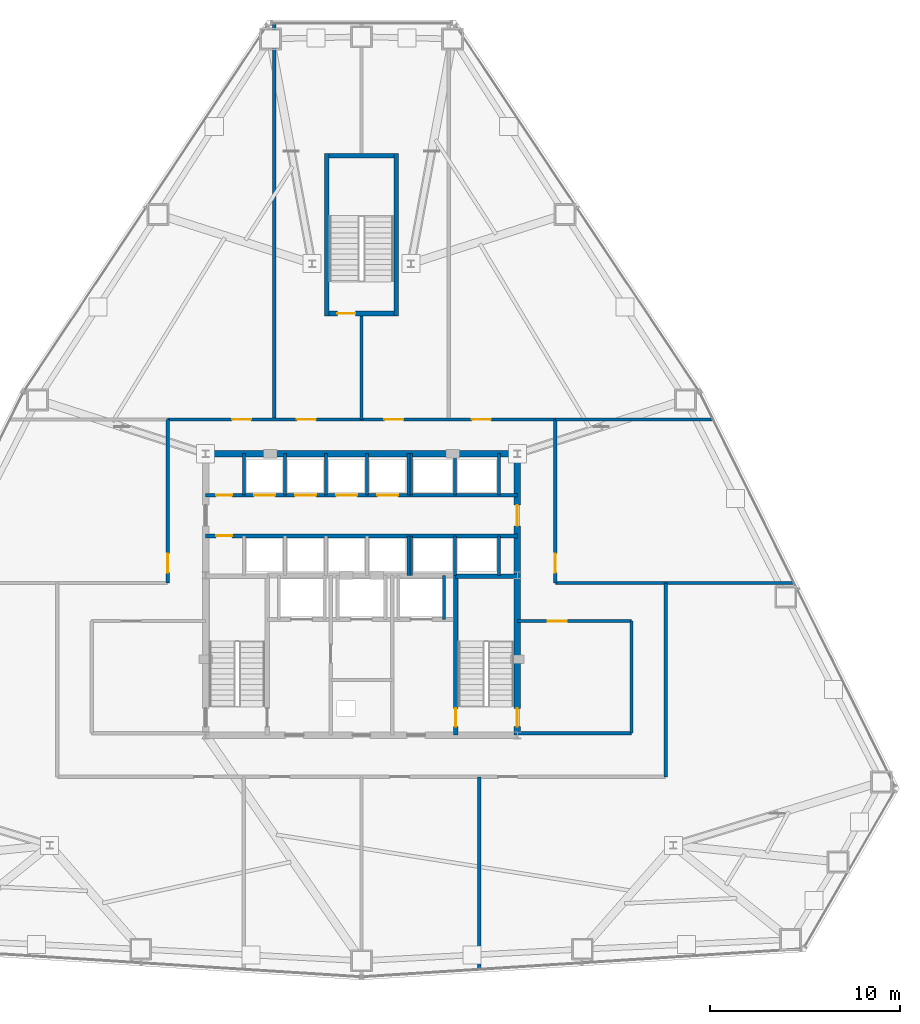
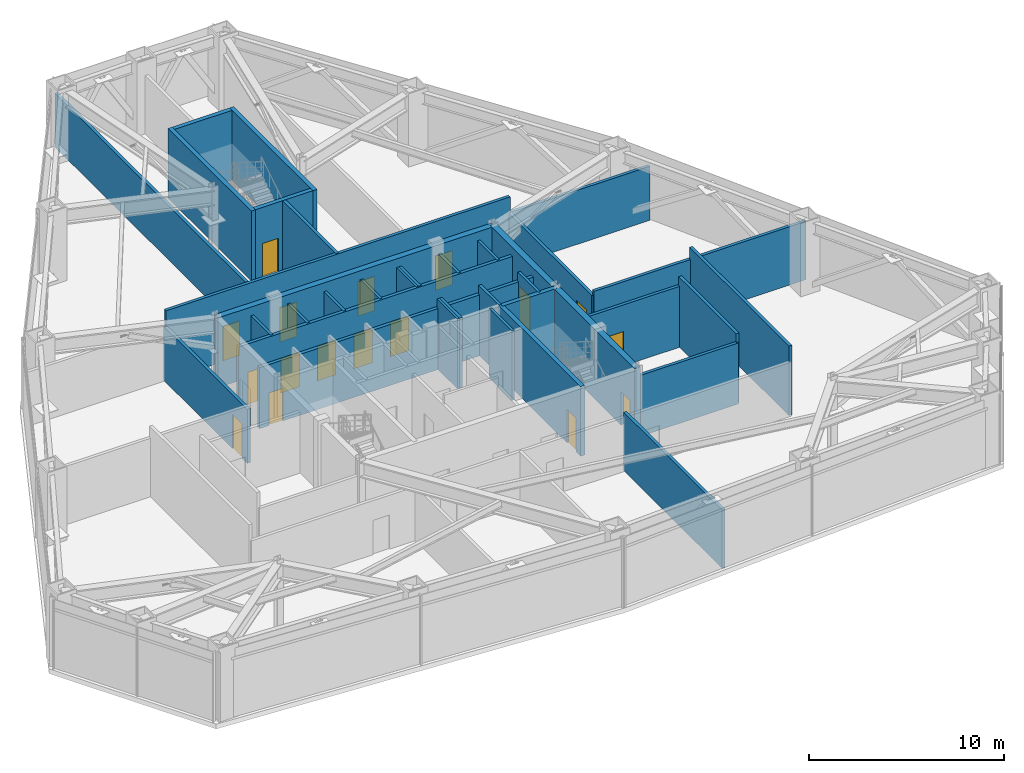
# One storey, part 10 of 12: 35 walls, 17 doors, 17 openings.
"""IFC4 building model written with IfcOpenShell, lengths in metres."""

from ifc_helpers import new_model, si_unit, direction, frame, frame_2d, origin, place, context, subcontext, project, spatial, rectangle, extrude, material, layer, layer_set, type_object, element, fill, save


model = new_model("IFC4")

# Units and contexts
model_context = context("Model", 3, precision=1e-05, world=origin(), true_north=direction((0.0, 1.0)))
body_context = subcontext(model_context, "Body", "Model", "MODEL_VIEW")
ifc_project = project(units=[si_unit("LENGTHUNIT", "METRE"), si_unit("AREAUNIT", "SQUARE_METRE"), si_unit("VOLUMEUNIT", "CUBIC_METRE"), si_unit("PLANEANGLEUNIT", "RADIAN"), si_unit("MASSUNIT", "GRAM", prefix="KILO")], contexts=[model_context])

# Site, building, storey
site_placement = place(None, origin())
site = spatial("IfcSite", under=ifc_project, at=site_placement, CompositionType="ELEMENT")
building_placement = place(site_placement, origin())
building = spatial("IfcBuilding", under=site, at=building_placement, Name="Varakhsha Concourse Tower", CompositionType="ELEMENT")
storey_placement = place(building_placement, frame((0.0, 0.0, 68.800048828125)))
storey = spatial("IfcBuildingStorey", under=building, at=storey_placement, Name="L19", CompositionType="ELEMENT", Elevation=68.800048828125)

# Wall
ifc_material_1 = material(Name="Concrete fc 65 MPa", Category="concrete")
ifc_layer_1 = layer(ifc_material_1, 0.35009765625, Name="WL-CORE-350")
ifc_layer_set_1 = layer_set([ifc_layer_1], Name="Concrete fc 65 MPa")
wall_type_1 = type_object("IfcWallType", Name="WL-CORE-350", PredefinedType="SHEAR", material=ifc_layer_set_1)
wall_1_placement = place(storey_placement, frame((31.800048828125, 31.199951171875, 0.0), z_axis=(0.0, 0.0, 1.0), x_axis=(1.0, 0.0, 0.0)))
element("IfcWall", 1, at=wall_1_placement, inside=storey, type_object=wall_type_1, Name="L19 Wall CWALL-N-L19", PredefinedType="SHEAR", context=body_context, shape_type="SweptSolid", body=[
    extrude(rectangle(XDim=16.39990234375, YDim=0.35009765625, at=frame_2d((8.199951171875, 0.0))), origin(), (0.0, 0.0, 1.0), 4.369873046875),
])

# Wall, openings, doors
wall_2_placement = place(storey_placement, frame((48.199951171875, 16.39990234375, 0.0), z_axis=(0.0, 0.0, 1.0), x_axis=(0.0, 1.0, 0.0)))
wall_2 = element("IfcWall", 2, at=wall_2_placement, inside=storey, type_object=wall_type_1, Name="L19 Wall CWALL-E-L19", PredefinedType="SHEAR", context=body_context, shape_type="SweptSolid", body=[
    extrude(rectangle(XDim=14.800048828125, YDim=0.35009765625, at=frame_2d((7.39990234375, 0.0))), origin(), (0.0, 0.0, 1.0), 4.369873046875),
])
opening_1_placement = place(wall_2_placement, frame((11.0, 0.0, 0.0)))
opening_1 = element("IfcOpeningElement", 3, at=opening_1_placement, cuts=wall_2, Name="Opening DL-01", PredefinedType="OPENING", context=body_context, shape_type="SweptSolid", body=[
    extrude(rectangle(XDim=1.10009765625, YDim=2.14990234375, at=frame_2d((0.550048828125, 1.074951171875))), frame((0.0, 0.18505859375, 0.0), z_axis=(0.0, -1.0, 0.0), x_axis=(1.0, 0.0, 0.0)), (0.0, 0.0, 1.0), 0.3701171875),
])
opening_2_placement = place(wall_2_placement, frame((0.449951171875, 0.0, 0.0)))
opening_2 = element("IfcOpeningElement", 4, at=opening_2_placement, cuts=wall_2, Name="Opening DF-03", PredefinedType="OPENING", context=body_context, shape_type="SweptSolid", body=[
    extrude(rectangle(XDim=0.949951171875, YDim=2.10009765625, at=frame_2d((0.47509765625, 1.050048828125))), frame((0.0, 0.18505859375, 0.0), z_axis=(0.0, -1.0, 0.0), x_axis=(1.0, 0.0, 0.0)), (0.0, 0.0, 1.0), 0.3701171875),
])
ifc_material_2 = material(Name="Hollow Galvanised Steel Fire Door Assembly", Category="steel")
door_type_1 = type_object("IfcDoorType", Name="DR-FD90-950", OperationType="NOTDEFINED", PredefinedType="DOOR", material=ifc_material_2)
door_1_placement = place(opening_2_placement, origin())
door_1 = element("IfcDoor", 5, at=door_1_placement, inside=storey, type_object=door_type_1, Name="L19 Area of Refuge East Stair ST2 Door", OperationType="SINGLE_SWING_RIGHT", OverallHeight=2.10009765625, OverallWidth=0.949951171875, PredefinedType="DOOR", context=body_context, shape_type="SweptSolid", body=[
    extrude(rectangle(XDim=0.949951171875, YDim=2.10009765625, at=frame_2d((0.47509765625, 1.050048828125))), frame((0.0, 0.02490234375, 0.0), z_axis=(0.0, -1.0, 0.0), x_axis=(1.0, 0.0, 0.0)), (0.0, 0.0, 1.0), 0.050048828125),
])
fill(opening_2, door_1)
ifc_material_3 = material(Name="Anodised Bronze Architectural Aluminium AA 6063-T6", Category="aluminium")
door_type_2 = type_object("IfcDoorType", Name="DR-LOB-1100", OperationType="NOTDEFINED", PredefinedType="DOOR", material=ifc_material_3)
door_2_placement = place(opening_1_placement, origin())
door_2 = element("IfcDoor", 6, at=door_2_placement, inside=storey, type_object=door_type_2, Name="L19 Lift Lobby East Concourse Door", OperationType="SINGLE_SWING_RIGHT", OverallHeight=2.14990234375, OverallWidth=1.10009765625, PredefinedType="DOOR", context=body_context, shape_type="SweptSolid", body=[
    extrude(rectangle(XDim=1.10009765625, YDim=2.14990234375, at=frame_2d((0.550048828125, 1.074951171875))), frame((0.0, 0.02490234375, 0.0), z_axis=(0.0, -1.0, 0.0), x_axis=(1.0, 0.0, 0.0)), (0.0, 0.0, 1.0), 0.050048828125),
])
fill(opening_1, door_2)

# Wall, opening, door
ifc_material_4 = material(Name="Fire-Rated Type X Gypsum Partition Assembly", Category="gypsum")
ifc_layer_2 = layer(ifc_material_4, 0.179931640625, Name="WL-PART-180")
ifc_layer_set_2 = layer_set([ifc_layer_2], Name="Fire-Rated Type X Gypsum Partition Assembly")
wall_type_2 = type_object("IfcWallType", Name="WL-PART-180", PredefinedType="PARTITIONING", material=ifc_layer_set_2)
wall_3_placement = place(storey_placement, frame((29.800048828125, 24.39990234375, 0.0), z_axis=(0.0, 0.0, 1.0), x_axis=(0.0, 1.0, 0.0)))
wall_3 = element("IfcWall", 7, at=wall_3_placement, inside=storey, type_object=wall_type_2, Name="L19 Wall PCW-WW-L19", PredefinedType="PARTITIONING", context=body_context, shape_type="SweptSolid", body=[
    extrude(rectangle(XDim=8.60009765625, YDim=0.179931640625, at=frame_2d((4.300048828125, 0.0))), origin(), (0.0, 0.0, 1.0), 3.385009765625),
])
opening_3_placement = place(wall_3_placement, frame((0.550048828125, 0.0, 0.0)))
opening_3 = element("IfcOpeningElement", 8, at=opening_3_placement, cuts=wall_3, Name="Opening DF-04", PredefinedType="OPENING", context=body_context, shape_type="SweptSolid", body=[
    extrude(rectangle(XDim=1.0, YDim=2.14990234375, at=frame_2d((0.5, 1.074951171875))), frame((0.0, 0.099853515625, 0.0), z_axis=(0.0, -1.0, 0.0), x_axis=(1.0, 0.0, 0.0)), (0.0, 0.0, 1.0), 0.199951171875),
])
door_type_3 = type_object("IfcDoorType", Name="DR-FD60-1000", OperationType="NOTDEFINED", PredefinedType="DOOR", material=ifc_material_2)
door_3_placement = place(opening_3_placement, origin())
door_3 = element("IfcDoor", 9, at=door_3_placement, inside=storey, type_object=door_type_3, Name="L19 West AHU and Smoke Exhaust Plant Room Door", OperationType="SINGLE_SWING_LEFT", OverallHeight=2.14990234375, OverallWidth=1.0, PredefinedType="DOOR", context=body_context, shape_type="SweptSolid", body=[
    extrude(rectangle(XDim=1.0, YDim=2.14990234375, at=frame_2d((0.5, 1.074951171875))), frame((0.0, 0.02490234375, 0.0), z_axis=(0.0, -1.0, 0.0), x_axis=(1.0, 0.0, 0.0)), (0.0, 0.0, 1.0), 0.050048828125),
])
fill(opening_3, door_3)

# Wall, openings, doors
wall_4_placement = place(storey_placement, frame((29.800048828125, 33.0, 0.0), z_axis=(0.0, 0.0, 1.0), x_axis=(1.0, 0.0, 0.0)))
wall_4 = element("IfcWall", 10, at=wall_4_placement, inside=storey, type_object=wall_type_2, Name="L19 Wall PCW-N-L19", PredefinedType="PARTITIONING", context=body_context, shape_type="SweptSolid", body=[
    extrude(rectangle(XDim=20.39990234375, YDim=0.179931640625, at=frame_2d((10.199951171875, 0.0))), origin(), (0.0, 0.0, 1.0), 4.369873046875),
])
opening_4_placement = place(wall_4_placement, frame((3.39990234375, 0.0, 0.0)))
opening_4 = element("IfcOpeningElement", 11, at=opening_4_placement, cuts=wall_4, Name="Opening DF-04", PredefinedType="OPENING", context=body_context, shape_type="SweptSolid", body=[
    extrude(rectangle(XDim=1.0, YDim=2.14990234375, at=frame_2d((0.5, 1.074951171875))), frame((0.0, 0.099853515625, 0.0), z_axis=(0.0, -1.0, 0.0), x_axis=(1.0, 0.0, 0.0)), (0.0, 0.0, 1.0), 0.199951171875),
])
opening_5_placement = place(wall_4_placement, frame((6.800048828125, 0.0, 0.0)))
opening_5 = element("IfcOpeningElement", 12, at=opening_5_placement, cuts=wall_4, Name="Opening DF-04", PredefinedType="OPENING", context=body_context, shape_type="SweptSolid", body=[
    extrude(rectangle(XDim=1.0, YDim=2.14990234375, at=frame_2d((0.5, 1.074951171875))), frame((0.0, 0.099853515625, 0.0), z_axis=(0.0, -1.0, 0.0), x_axis=(1.0, 0.0, 0.0)), (0.0, 0.0, 1.0), 0.199951171875),
])
opening_6_placement = place(wall_4_placement, frame((11.39990234375, 0.0, 0.0)))
opening_6 = element("IfcOpeningElement", 13, at=opening_6_placement, cuts=wall_4, Name="Opening DF-04", PredefinedType="OPENING", context=body_context, shape_type="SweptSolid", body=[
    extrude(rectangle(XDim=1.0, YDim=2.14990234375, at=frame_2d((0.5, 1.074951171875))), frame((0.0, 0.099853515625, 0.0), z_axis=(0.0, -1.0, 0.0), x_axis=(1.0, 0.0, 0.0)), (0.0, 0.0, 1.0), 0.199951171875),
])
opening_7_placement = place(wall_4_placement, frame((16.0, 0.0, 0.0)))
opening_7 = element("IfcOpeningElement", 14, at=opening_7_placement, cuts=wall_4, Name="Opening DF-04", PredefinedType="OPENING", context=body_context, shape_type="SweptSolid", body=[
    extrude(rectangle(XDim=1.0, YDim=2.14990234375, at=frame_2d((0.5, 1.074951171875))), frame((0.0, 0.099853515625, 0.0), z_axis=(0.0, -1.0, 0.0), x_axis=(1.0, 0.0, 0.0)), (0.0, 0.0, 1.0), 0.199951171875),
])
door_4_placement = place(opening_4_placement, origin())
door_4 = element("IfcDoor", 15, at=door_4_placement, inside=storey, type_object=door_type_3, Name="L19 West Zonal HV Switchgear Plant Room Door", OperationType="SINGLE_SWING_LEFT", OverallHeight=2.14990234375, OverallWidth=1.0, PredefinedType="DOOR", context=body_context, shape_type="SweptSolid", body=[
    extrude(rectangle(XDim=1.0, YDim=2.14990234375, at=frame_2d((0.5, 1.074951171875))), frame((0.0, 0.02490234375, 0.0), z_axis=(0.0, -1.0, 0.0), x_axis=(1.0, 0.0, 0.0)), (0.0, 0.0, 1.0), 0.050048828125),
])
fill(opening_4, door_4)
door_5_placement = place(opening_5_placement, origin())
door_5 = element("IfcDoor", 16, at=door_5_placement, inside=storey, type_object=door_type_3, Name="L19 Step-Down Transformer Mechanical Plant Room Door", OperationType="SINGLE_SWING_LEFT", OverallHeight=2.14990234375, OverallWidth=1.0, PredefinedType="DOOR", context=body_context, shape_type="SweptSolid", body=[
    extrude(rectangle(XDim=1.0, YDim=2.14990234375, at=frame_2d((0.5, 1.074951171875))), frame((0.0, 0.02490234375, 0.0), z_axis=(0.0, -1.0, 0.0), x_axis=(1.0, 0.0, 0.0)), (0.0, 0.0, 1.0), 0.050048828125),
])
fill(opening_5, door_5)
door_6_placement = place(opening_6_placement, origin())
door_6 = element("IfcDoor", 17, at=door_6_placement, inside=storey, type_object=door_type_3, Name="L19 UPS Battery Inverter Mechanical Plant Room Door", OperationType="SINGLE_SWING_LEFT", OverallHeight=2.14990234375, OverallWidth=1.0, PredefinedType="DOOR", context=body_context, shape_type="SweptSolid", body=[
    extrude(rectangle(XDim=1.0, YDim=2.14990234375, at=frame_2d((0.5, 1.074951171875))), frame((0.0, 0.02490234375, 0.0), z_axis=(0.0, -1.0, 0.0), x_axis=(1.0, 0.0, 0.0)), (0.0, 0.0, 1.0), 0.050048828125),
])
fill(opening_6, door_6)
door_7_placement = place(opening_7_placement, origin())
door_7 = element("IfcDoor", 18, at=door_7_placement, inside=storey, type_object=door_type_3, Name="L19 Emergency Generator Control Plant Room Door", OperationType="SINGLE_SWING_LEFT", OverallHeight=2.14990234375, OverallWidth=1.0, PredefinedType="DOOR", context=body_context, shape_type="SweptSolid", body=[
    extrude(rectangle(XDim=1.0, YDim=2.14990234375, at=frame_2d((0.5, 1.074951171875))), frame((0.0, 0.02490234375, 0.0), z_axis=(0.0, -1.0, 0.0), x_axis=(1.0, 0.0, 0.0)), (0.0, 0.0, 1.0), 0.050048828125),
])
fill(opening_7, door_7)

# Wall, opening, door
wall_5_placement = place(storey_placement, frame((50.199951171875, 24.39990234375, 0.0), z_axis=(0.0, 0.0, 1.0), x_axis=(0.0, 1.0, 0.0)))
wall_5 = element("IfcWall", 19, at=wall_5_placement, inside=storey, type_object=wall_type_2, Name="L19 Wall PCW-EE-L19", PredefinedType="PARTITIONING", context=body_context, shape_type="SweptSolid", body=[
    extrude(rectangle(XDim=8.60009765625, YDim=0.179931640625, at=frame_2d((4.300048828125, 0.0))), origin(), (0.0, 0.0, 1.0), 3.385009765625),
])
opening_8_placement = place(wall_5_placement, frame((0.550048828125, 0.0, 0.0)))
opening_8 = element("IfcOpeningElement", 20, at=opening_8_placement, cuts=wall_5, Name="Opening DF-04", PredefinedType="OPENING", context=body_context, shape_type="SweptSolid", body=[
    extrude(rectangle(XDim=1.0, YDim=2.14990234375, at=frame_2d((0.5, 1.074951171875))), frame((0.0, 0.099853515625, 0.0), z_axis=(0.0, -1.0, 0.0), x_axis=(1.0, 0.0, 0.0)), (0.0, 0.0, 1.0), 0.199951171875),
])
door_8_placement = place(opening_8_placement, origin())
door_8 = element("IfcDoor", 21, at=door_8_placement, inside=storey, type_object=door_type_3, Name="L19 East Booster and Fire Standpipe Pump Plant Room Door", OperationType="SINGLE_SWING_LEFT", OverallHeight=2.14990234375, OverallWidth=1.0, PredefinedType="DOOR", context=body_context, shape_type="SweptSolid", body=[
    extrude(rectangle(XDim=1.0, YDim=2.14990234375, at=frame_2d((0.5, 1.074951171875))), frame((0.0, 0.02490234375, 0.0), z_axis=(0.0, -1.0, 0.0), x_axis=(1.0, 0.0, 0.0)), (0.0, 0.0, 1.0), 0.050048828125),
])
fill(opening_8, door_8)

# Walls
wall_6_placement = place(storey_placement, frame((56.0, 14.199951171875, 0.0), z_axis=(0.0, 0.0, 1.0), x_axis=(0.0, 1.0, 0.0)))
element("IfcWall", 22, at=wall_6_placement, inside=storey, type_object=wall_type_2, Name="L19 Wall PCW-ES-L19", PredefinedType="PARTITIONING", context=body_context, shape_type="SweptSolid", body=[
    extrude(rectangle(XDim=10.199951171875, YDim=0.179931640625, at=frame_2d((5.10009765625, 0.0))), origin(), (0.0, 0.0, 1.0), 4.369873046875),
])
wall_7_placement = place(storey_placement, frame((48.199951171875, 16.5, 0.0), z_axis=(0.0, 0.0, 1.0), x_axis=(1.0, 0.0, 0.0)))
element("IfcWall", 23, at=wall_7_placement, inside=storey, type_object=wall_type_2, Name="L19 Wall REFW-ES-L19", PredefinedType="PARTITIONING", context=body_context, shape_type="SweptSolid", body=[
    extrude(rectangle(XDim=6.0, YDim=0.179931640625, at=frame_2d((3.0, 0.0))), origin(), (0.0, 0.0, 1.0), 3.821044921875),
])

# Wall, opening, door
wall_8_placement = place(storey_placement, frame((48.199951171875, 22.39990234375, 0.0), z_axis=(0.0, 0.0, 1.0), x_axis=(1.0, 0.0, 0.0)))
wall_8 = element("IfcWall", 24, at=wall_8_placement, inside=storey, type_object=wall_type_2, Name="L19 Wall REFW-EN-L19", PredefinedType="PARTITIONING", context=body_context, shape_type="SweptSolid", body=[
    extrude(rectangle(XDim=6.0, YDim=0.179931640625, at=frame_2d((3.0, 0.0))), origin(), (0.0, 0.0, 1.0), 3.821044921875),
])
opening_9_placement = place(wall_8_placement, frame((1.60009765625, 0.0, 0.0)))
opening_9 = element("IfcOpeningElement", 25, at=opening_9_placement, cuts=wall_8, Name="Opening DF-04", PredefinedType="OPENING", context=body_context, shape_type="SweptSolid", body=[
    extrude(rectangle(XDim=1.0, YDim=2.14990234375, at=frame_2d((0.5, 1.074951171875))), frame((0.0, 0.099853515625, 0.0), z_axis=(0.0, -1.0, 0.0), x_axis=(1.0, 0.0, 0.0)), (0.0, 0.0, 1.0), 0.199951171875),
])
door_9_placement = place(opening_9_placement, origin())
door_9 = element("IfcDoor", 26, at=door_9_placement, inside=storey, type_object=door_type_3, Name="L19 Area of Refuge East Lobby Door", OperationType="SINGLE_SWING_RIGHT", OverallHeight=2.14990234375, OverallWidth=1.0, PredefinedType="DOOR", context=body_context, shape_type="SweptSolid", body=[
    extrude(rectangle(XDim=1.0, YDim=2.14990234375, at=frame_2d((0.5, 1.074951171875))), frame((0.0, 0.02490234375, 0.0), z_axis=(0.0, -1.0, 0.0), x_axis=(1.0, 0.0, 0.0)), (0.0, 0.0, 1.0), 0.050048828125),
])
fill(opening_9, door_9)

# Walls
wall_9_placement = place(storey_placement, frame((54.199951171875, 16.5, 0.0), z_axis=(0.0, 0.0, 1.0), x_axis=(0.0, 1.0, 0.0)))
element("IfcWall", 27, at=wall_9_placement, inside=storey, type_object=wall_type_2, Name="L19 Wall REFW-EE-L19", PredefinedType="PARTITIONING", context=body_context, shape_type="SweptSolid", body=[
    extrude(rectangle(XDim=5.89990234375, YDim=0.179931640625, at=frame_2d((2.949951171875, 0.0))), origin(), (0.0, 0.0, 1.0), 4.369873046875),
])
wall_10_placement = place(storey_placement, frame((50.199951171875, 24.39990234375, 0.0), z_axis=(0.0, 0.0, 1.0), x_axis=(1.0, 0.0, 0.0)))
element("IfcWall", 28, at=wall_10_placement, inside=storey, type_object=wall_type_2, Name="L19 Wall PDIV-ES-L19", PredefinedType="PARTITIONING", context=body_context, shape_type="SweptSolid", body=[
    extrude(rectangle(XDim=12.553955078125, YDim=0.179931640625, at=frame_2d((6.27685546875, 0.0))), origin(), (0.0, 0.0, 1.0), 3.657958984375),
])
wall_11_placement = place(storey_placement, frame((50.199951171875, 33.0, 0.0), z_axis=(0.0, 0.0, 1.0), x_axis=(1.0, 0.0, 0.0)))
element("IfcWall", 29, at=wall_11_placement, inside=storey, type_object=wall_type_2, Name="L19 Wall PDIV-EN-L19", PredefinedType="PARTITIONING", context=body_context, shape_type="SweptSolid", body=[
    extrude(rectangle(XDim=8.291015625, YDim=0.179931640625, at=frame_2d((4.1455078125, 0.0))), origin(), (0.0, 0.0, 1.0), 3.385009765625),
])
wall_12_placement = place(storey_placement, frame((46.199951171875, 4.076904296875, 0.0), z_axis=(0.0, 0.0, 1.0), x_axis=(0.0, 1.0, 0.0)))
element("IfcWall", 30, at=wall_12_placement, inside=storey, type_object=wall_type_2, Name="L19 Wall PDIV-S3-L19", PredefinedType="PARTITIONING", context=body_context, shape_type="SweptSolid", body=[
    extrude(rectangle(XDim=10.123046875, YDim=0.179931640625, at=frame_2d((5.0615234375, 0.0))), origin(), (0.0, 0.0, 1.0), 3.657958984375),
])
wall_13_placement = place(storey_placement, frame((35.39990234375, 33.0, 0.0), z_axis=(0.0, 0.0, 1.0), x_axis=(0.0, 1.0, 0.0)))
element("IfcWall", 31, at=wall_13_placement, inside=storey, type_object=wall_type_2, Name="L19 Wall PDIV-N1-L19", PredefinedType="PARTITIONING", context=body_context, shape_type="SweptSolid", body=[
    extrude(rectangle(XDim=20.84912109375, YDim=0.179931640625, at=frame_2d((10.424560546875, 0.0))), origin(), (0.0, 0.0, 1.0), 3.385009765625),
])
wall_14_placement = place(storey_placement, frame((40.0, 33.0, 0.0), z_axis=(0.0, 0.0, 1.0), x_axis=(0.0, 1.0, 0.0)))
element("IfcWall", 32, at=wall_14_placement, inside=storey, type_object=wall_type_2, Name="L19 Wall PDIV-N2-L19", PredefinedType="PARTITIONING", context=body_context, shape_type="SweptSolid", body=[
    extrude(rectangle(XDim=5.449951171875, YDim=0.179931640625, at=frame_2d((2.72509765625, 0.0))), origin(), (0.0, 0.0, 1.0), 4.369873046875),
])
ifc_layer_3 = layer(ifc_material_4, 0.199951171875, Name="WL-SHAFT-220")
ifc_layer_set_3 = layer_set([ifc_layer_3], Name="Fire-Rated Type X Gypsum Partition Assembly")
wall_type_3 = type_object("IfcWallType", Name="WL-SHAFT-220", PredefinedType="SOLIDWALL", material=ifc_layer_set_3)
wall_15_placement = place(storey_placement, frame((44.35009765625, 22.47998046875, 0.0), z_axis=(0.0, 0.0, 1.0), x_axis=(0.0, 1.0, 0.0)))
element("IfcWall", 33, at=wall_15_placement, inside=storey, type_object=wall_type_3, Name="L19 Wall SHW-FFL-2-E-L19", PredefinedType="SOLIDWALL", context=body_context, shape_type="SweptSolid", body=[
    extrude(rectangle(XDim=2.320068359375, YDim=0.159912109375, at=frame_2d((1.16015625, 0.0))), origin(), (0.0, 0.0, 1.0), 4.369873046875),
])

# Wall, openings, doors
wall_16_placement = place(storey_placement, frame((31.800048828125, 29.02001953125, 0.0), z_axis=(0.0, 0.0, 1.0), x_axis=(1.0, 0.0, 0.0)))
wall_16 = element("IfcWall", 34, at=wall_16_placement, inside=storey, type_object=wall_type_3, Name="L19 Wall PLW-N-L19", PredefinedType="SOLIDWALL", context=body_context, shape_type="SweptSolid", body=[
    extrude(rectangle(XDim=16.39990234375, YDim=0.199951171875, at=frame_2d((8.199951171875, 0.0))), origin(), (0.0, 0.0, 1.0), 3.821044921875),
])
opening_10_placement = place(wall_16_placement, frame((0.550048828125, 0.0, 0.0)))
opening_10 = element("IfcOpeningElement", 35, at=opening_10_placement, cuts=wall_16, Name="Opening DF-07", PredefinedType="OPENING", context=body_context, shape_type="SweptSolid", body=[
    extrude(rectangle(XDim=0.85009765625, YDim=2.050048828125, at=frame_2d((0.425048828125, 1.02490234375))), frame((0.0, 0.10986328125, 0.0), z_axis=(0.0, -1.0, 0.0), x_axis=(1.0, 0.0, 0.0)), (0.0, 0.0, 1.0), 0.219970703125),
])
opening_11_placement = place(wall_16_placement, frame((2.550048828125, 0.0, 0.0)))
opening_11 = element("IfcOpeningElement", 36, at=opening_11_placement, cuts=wall_16, Name="Opening LD-LF-P01", PredefinedType="OPENING", context=body_context, shape_type="SweptSolid", body=[
    extrude(rectangle(XDim=1.10009765625, YDim=2.14990234375, at=frame_2d((0.550048828125, 1.074951171875))), frame((0.0, 0.10986328125, 0.0), z_axis=(0.0, -1.0, 0.0), x_axis=(1.0, 0.0, 0.0)), (0.0, 0.0, 1.0), 0.219970703125),
])
opening_12_placement = place(wall_16_placement, frame((4.7099609375, 0.0, 0.0)))
opening_12 = element("IfcOpeningElement", 37, at=opening_12_placement, cuts=wall_16, Name="Opening LD-LF-P02", PredefinedType="OPENING", context=body_context, shape_type="SweptSolid", body=[
    extrude(rectangle(XDim=1.10009765625, YDim=2.14990234375, at=frame_2d((0.550048828125, 1.074951171875))), frame((0.0, 0.10986328125, 0.0), z_axis=(0.0, -1.0, 0.0), x_axis=(1.0, 0.0, 0.0)), (0.0, 0.0, 1.0), 0.219970703125),
])
opening_13_placement = place(wall_16_placement, frame((6.8701171875, 0.0, 0.0)))
opening_13 = element("IfcOpeningElement", 38, at=opening_13_placement, cuts=wall_16, Name="Opening LD-LF-P03", PredefinedType="OPENING", context=body_context, shape_type="SweptSolid", body=[
    extrude(rectangle(XDim=1.10009765625, YDim=2.14990234375, at=frame_2d((0.550048828125, 1.074951171875))), frame((0.0, 0.10986328125, 0.0), z_axis=(0.0, -1.0, 0.0), x_axis=(1.0, 0.0, 0.0)), (0.0, 0.0, 1.0), 0.219970703125),
])
opening_14_placement = place(wall_16_placement, frame((9.030029296875, 0.0, 0.0)))
opening_14 = element("IfcOpeningElement", 39, at=opening_14_placement, cuts=wall_16, Name="Opening LD-LF-P04", PredefinedType="OPENING", context=body_context, shape_type="SweptSolid", body=[
    extrude(rectangle(XDim=1.10009765625, YDim=2.14990234375, at=frame_2d((0.550048828125, 1.074951171875))), frame((0.0, 0.10986328125, 0.0), z_axis=(0.0, -1.0, 0.0), x_axis=(1.0, 0.0, 0.0)), (0.0, 0.0, 1.0), 0.219970703125),
])
door_type_4 = type_object("IfcDoorType", Name="DR-FD60-850", OperationType="NOTDEFINED", PredefinedType="DOOR", material=ifc_material_2)
door_10_placement = place(opening_10_placement, origin())
door_10 = element("IfcDoor", 40, at=door_10_placement, inside=storey, type_object=door_type_4, Name="L19 Core Janitor Closet Door", OperationType="SINGLE_SWING_LEFT", OverallHeight=2.050048828125, OverallWidth=0.85009765625, PredefinedType="DOOR", context=body_context, shape_type="SweptSolid", body=[
    extrude(rectangle(XDim=0.85009765625, YDim=2.050048828125, at=frame_2d((0.425048828125, 1.02490234375))), frame((0.0, 0.02490234375, 0.0), z_axis=(0.0, -1.0, 0.0), x_axis=(1.0, 0.0, 0.0)), (0.0, 0.0, 1.0), 0.050048828125),
])
fill(opening_10, door_10)
ifc_material_5 = material(Name="Brushed Austenitic Stainless Steel AISI 316", Category="steel")
door_type_5 = type_object("IfcDoorType", Name="DR-LD-1100", OperationType="DOUBLE_DOOR_SLIDING", PredefinedType="DOOR", material=ifc_material_5)
door_11_placement = place(opening_11_placement, origin())
door_11 = element("IfcDoor", 41, at=door_11_placement, inside=storey, type_object=door_type_5, Name="Lift Landing Door LF-P01 L19", OperationType="DOUBLE_DOOR_SLIDING", OverallHeight=2.14990234375, OverallWidth=1.10009765625, PredefinedType="DOOR", context=body_context, shape_type="SweptSolid", body=[
    extrude(rectangle(XDim=1.10009765625, YDim=2.14990234375, at=frame_2d((0.550048828125, 1.074951171875))), frame((0.0, 0.02490234375, 0.0), z_axis=(0.0, -1.0, 0.0), x_axis=(1.0, 0.0, 0.0)), (0.0, 0.0, 1.0), 0.050048828125),
])
fill(opening_11, door_11)
door_12_placement = place(opening_12_placement, origin())
door_12 = element("IfcDoor", 42, at=door_12_placement, inside=storey, type_object=door_type_5, Name="Lift Landing Door LF-P02 L19", OperationType="DOUBLE_DOOR_SLIDING", OverallHeight=2.14990234375, OverallWidth=1.10009765625, PredefinedType="DOOR", context=body_context, shape_type="SweptSolid", body=[
    extrude(rectangle(XDim=1.10009765625, YDim=2.14990234375, at=frame_2d((0.550048828125, 1.074951171875))), frame((0.0, 0.02490234375, 0.0), z_axis=(0.0, -1.0, 0.0), x_axis=(1.0, 0.0, 0.0)), (0.0, 0.0, 1.0), 0.050048828125),
])
fill(opening_12, door_12)
door_13_placement = place(opening_13_placement, origin())
door_13 = element("IfcDoor", 43, at=door_13_placement, inside=storey, type_object=door_type_5, Name="Lift Landing Door LF-P03 L19", OperationType="DOUBLE_DOOR_SLIDING", OverallHeight=2.14990234375, OverallWidth=1.10009765625, PredefinedType="DOOR", context=body_context, shape_type="SweptSolid", body=[
    extrude(rectangle(XDim=1.10009765625, YDim=2.14990234375, at=frame_2d((0.550048828125, 1.074951171875))), frame((0.0, 0.02490234375, 0.0), z_axis=(0.0, -1.0, 0.0), x_axis=(1.0, 0.0, 0.0)), (0.0, 0.0, 1.0), 0.050048828125),
])
fill(opening_13, door_13)
door_14_placement = place(opening_14_placement, origin())
door_14 = element("IfcDoor", 44, at=door_14_placement, inside=storey, type_object=door_type_5, Name="Lift Landing Door LF-P04 L19", OperationType="DOUBLE_DOOR_SLIDING", OverallHeight=2.14990234375, OverallWidth=1.10009765625, PredefinedType="DOOR", context=body_context, shape_type="SweptSolid", body=[
    extrude(rectangle(XDim=1.10009765625, YDim=2.14990234375, at=frame_2d((0.550048828125, 1.074951171875))), frame((0.0, 0.02490234375, 0.0), z_axis=(0.0, -1.0, 0.0), x_axis=(1.0, 0.0, 0.0)), (0.0, 0.0, 1.0), 0.050048828125),
])
fill(opening_14, door_14)

# Wall, opening, door
wall_17_placement = place(storey_placement, frame((31.800048828125, 26.8798828125, 0.0), z_axis=(0.0, 0.0, 1.0), x_axis=(1.0, 0.0, 0.0)))
wall_17 = element("IfcWall", 45, at=wall_17_placement, inside=storey, type_object=wall_type_3, Name="L19 Wall PLW-S-L19", PredefinedType="SOLIDWALL", context=body_context, shape_type="SweptSolid", body=[
    extrude(rectangle(XDim=16.39990234375, YDim=0.199951171875, at=frame_2d((8.199951171875, 0.0))), origin(), (0.0, 0.0, 1.0), 3.821044921875),
])
opening_15_placement = place(wall_17_placement, frame((0.550048828125, 0.0, 0.0)))
opening_15 = element("IfcOpeningElement", 46, at=opening_15_placement, cuts=wall_17, Name="Opening DF-07", PredefinedType="OPENING", context=body_context, shape_type="SweptSolid", body=[
    extrude(rectangle(XDim=0.85009765625, YDim=2.050048828125, at=frame_2d((0.425048828125, 1.02490234375))), frame((0.0, 0.10986328125, 0.0), z_axis=(0.0, -1.0, 0.0), x_axis=(1.0, 0.0, 0.0)), (0.0, 0.0, 1.0), 0.219970703125),
])
door_15_placement = place(opening_15_placement, origin())
door_15 = element("IfcDoor", 47, at=door_15_placement, inside=storey, type_object=door_type_4, Name="L19 Core Telecoms Closet Door", OperationType="SINGLE_SWING_RIGHT", OverallHeight=2.050048828125, OverallWidth=0.85009765625, PredefinedType="DOOR", context=body_context, shape_type="SweptSolid", body=[
    extrude(rectangle(XDim=0.85009765625, YDim=2.050048828125, at=frame_2d((0.425048828125, 1.02490234375))), frame((0.0, 0.02490234375, 0.0), z_axis=(0.0, -1.0, 0.0), x_axis=(1.0, 0.0, 0.0)), (0.0, 0.0, 1.0), 0.050048828125),
])
fill(opening_15, door_15)

# Walls
for number, where, z_axis, x_axis, name in (
    (48, (33.820068359375, 29.02001953125, 0.0), (0.0, 0.0, 1.0), (0.0, 1.0, 0.0), "L19 Wall WBOH-E1-L19"),
    (49, (35.97998046875, 29.02001953125, 0.0), (0.0, 0.0, 1.0), (0.0, 1.0, 0.0), "L19 Wall SHW-LF-P01-E-L19"),
    (50, (38.139892578125, 29.02001953125, 0.0), (0.0, 0.0, 1.0), (0.0, 1.0, 0.0), "L19 Wall SHW-LF-P02-E-L19"),
    (51, (40.300048828125, 29.02001953125, 0.0), (0.0, 0.0, 1.0), (0.0, 1.0, 0.0), "L19 Wall SHW-LF-P03-E-L19"),
    (52, (42.4599609375, 29.02001953125, 0.0), (0.0, 0.0, 1.0), (0.0, 1.0, 0.0), "L19 Wall SHW-LF-P04-E-L19"),
):
    element("IfcWall", number, at=place(storey_placement, frame(where, z_axis=z_axis, x_axis=x_axis)), inside=storey, type_object=wall_type_3, Name=name, PredefinedType="SOLIDWALL", context=body_context, shape_type="SweptSolid", body=[
        extrude(rectangle(XDim=2.179931640625, YDim=0.159912109375, at=frame_2d((1.08984375, 0.0))), origin(), (0.0, 0.0, 1.0), 3.821044921875),
    ])
wall_18_placement = place(storey_placement, frame((42.4599609375, 24.800048828125, 0.0), z_axis=(0.0, 0.0, 1.0), x_axis=(0.0, 1.0, 0.0)))
element("IfcWall", 53, at=wall_18_placement, inside=storey, type_object=wall_type_3, Name="L19 Wall SHW-LF-P08-E-L19", PredefinedType="SOLIDWALL", context=body_context, shape_type="SweptSolid", body=[
    extrude(rectangle(XDim=2.079833984375, YDim=0.159912109375, at=frame_2d((1.0400390625, 0.0))), origin(), (0.0, 0.0, 1.0), 4.369873046875),
])
for number, where, z_axis, x_axis, name in (
    (54, (42.60009765625, 29.02001953125, 0.0), (0.0, 0.0, 1.0), (0.0, 1.0, 0.0), "L19 Wall SHW-LF-P09-W-L19"),
    (55, (44.919921875, 29.02001953125, 0.0), (0.0, 0.0, 1.0), (0.0, 1.0, 0.0), "L19 Wall SHW-LF-P09-E-L19"),
    (56, (47.239990234375, 29.02001953125, 0.0), (0.0, 0.0, 1.0), (0.0, 1.0, 0.0), "L19 Wall SHW-LF-P10-E-L19"),
):
    element("IfcWall", number, at=place(storey_placement, frame(where, z_axis=z_axis, x_axis=x_axis)), inside=storey, type_object=wall_type_3, Name=name, PredefinedType="SOLIDWALL", context=body_context, shape_type="SweptSolid", body=[
        extrude(rectangle(XDim=2.179931640625, YDim=0.159912109375, at=frame_2d((1.08984375, 0.0))), origin(), (0.0, 0.0, 1.0), 3.821044921875),
    ])
for number, where, z_axis, x_axis, name in (
    (57, (42.60009765625, 24.800048828125, 0.0), (0.0, 0.0, 1.0), (0.0, 1.0, 0.0), "L19 Wall SHW-LF-P11-W-L19"),
    (58, (44.919921875, 24.800048828125, 0.0), (0.0, 0.0, 1.0), (0.0, 1.0, 0.0), "L19 Wall SHW-LF-P11-E-L19"),
    (59, (47.239990234375, 24.800048828125, 0.0), (0.0, 0.0, 1.0), (0.0, 1.0, 0.0), "L19 Wall SHW-LF-P12-E-L19"),
):
    element("IfcWall", number, at=place(storey_placement, frame(where, z_axis=z_axis, x_axis=x_axis)), inside=storey, type_object=wall_type_3, Name=name, PredefinedType="SOLIDWALL", context=body_context, shape_type="SweptSolid", body=[
        extrude(rectangle(XDim=2.079833984375, YDim=0.159912109375, at=frame_2d((1.0400390625, 0.0))), origin(), (0.0, 0.0, 1.0), 4.369873046875),
    ])

# Wall, opening, door
ifc_material_6 = material(Name="Concrete fc 45 MPa", Category="concrete")
ifc_layer_4 = layer(ifc_material_6, 0.25, Name="WL-STAIR-250")
ifc_layer_set_4 = layer_set([ifc_layer_4], Name="Concrete fc 45 MPa")
wall_type_4 = type_object("IfcWallType", Name="WL-STAIR-250", PredefinedType="SHEAR", material=ifc_layer_set_4)
wall_19_placement = place(storey_placement, frame((44.955078125, 16.39990234375, 0.0), z_axis=(0.0, 0.0, 1.0), x_axis=(0.0, 1.0, 0.0)))
wall_19 = element("IfcWall", 60, at=wall_19_placement, inside=storey, type_object=wall_type_4, Name="L19 Wall SWALL-ST2-W-L19", PredefinedType="SHEAR", context=body_context, shape_type="SweptSolid", body=[
    extrude(rectangle(XDim=8.400146484375, YDim=0.25, at=frame_2d((4.2001953125, 0.0))), origin(), (0.0, 0.0, 1.0), 4.369873046875),
])
opening_16_placement = place(wall_19_placement, frame((0.449951171875, 0.0, 0.0)))
opening_16 = element("IfcOpeningElement", 61, at=opening_16_placement, cuts=wall_19, Name="Opening DF-03", PredefinedType="OPENING", context=body_context, shape_type="SweptSolid", body=[
    extrude(rectangle(XDim=0.949951171875, YDim=2.10009765625, at=frame_2d((0.47509765625, 1.050048828125))), frame((0.0, 0.135009765625, 0.0), z_axis=(0.0, -1.0, 0.0), x_axis=(1.0, 0.0, 0.0)), (0.0, 0.0, 1.0), 0.27001953125),
])
door_16_placement = place(opening_16_placement, origin())
door_16 = element("IfcDoor", 62, at=door_16_placement, inside=storey, type_object=door_type_1, Name="L19 Stair ST2 Fire Door", OperationType="SINGLE_SWING_RIGHT", OverallHeight=2.10009765625, OverallWidth=0.949951171875, PredefinedType="DOOR", context=body_context, shape_type="SweptSolid", body=[
    extrude(rectangle(XDim=0.949951171875, YDim=2.10009765625, at=frame_2d((0.47509765625, 1.050048828125))), frame((0.0, 0.02490234375, 0.0), z_axis=(0.0, -1.0, 0.0), x_axis=(1.0, 0.0, 0.0)), (0.0, 0.0, 1.0), 0.050048828125),
])
fill(opening_16, door_16)

# Walls
wall_20_placement = place(storey_placement, frame((44.955078125, 24.7548828125, 0.0), z_axis=(0.0, 0.0, 1.0), x_axis=(1.0, 0.0, 0.0)))
element("IfcWall", 63, at=wall_20_placement, inside=storey, type_object=wall_type_4, Name="L19 Wall SWALL-ST2-N-L19", PredefinedType="SHEAR", context=body_context, shape_type="SweptSolid", body=[
    extrude(rectangle(XDim=3.244873046875, YDim=0.25, at=frame_2d((1.62255859375, 0.0))), origin(), (0.0, 0.0, 1.0), 4.369873046875),
])
for number, where, z_axis, x_axis, name in (
    (64, (38.175048828125, 38.449951171875, 0.0), (0.0, 0.0, 1.0), (0.0, 1.0, 0.0), "L19 Wall SWALL-ST5-W-L19"),
    (65, (41.824951171875, 38.449951171875, 0.0), (0.0, 0.0, 1.0), (0.0, 1.0, 0.0), "L19 Wall SWALL-ST5-E-L19"),
):
    element("IfcWall", number, at=place(storey_placement, frame(where, z_axis=z_axis, x_axis=x_axis)), inside=storey, type_object=wall_type_4, Name=name, PredefinedType="SHEAR", context=body_context, shape_type="SweptSolid", body=[
        extrude(rectangle(XDim=8.550048828125, YDim=0.25, at=frame_2d((4.27490234375, 0.0))), origin(), (0.0, 0.0, 1.0), 4.369873046875),
    ])

# Wall, opening, door
wall_21_placement = place(storey_placement, frame((38.300048828125, 38.574951171875, 0.0), z_axis=(0.0, 0.0, 1.0), x_axis=(1.0, 0.0, 0.0)))
wall_21 = element("IfcWall", 66, at=wall_21_placement, inside=storey, type_object=wall_type_4, Name="L19 Wall SWALL-ST5-S-L19", PredefinedType="SHEAR", context=body_context, shape_type="SweptSolid", body=[
    extrude(rectangle(XDim=3.39990234375, YDim=0.25, at=frame_2d((1.699951171875, 0.0))), origin(), (0.0, 0.0, 1.0), 4.369873046875),
])
opening_17_placement = place(wall_21_placement, frame((0.425048828125, 0.0, 0.0)))
opening_17 = element("IfcOpeningElement", 67, at=opening_17_placement, cuts=wall_21, Name="Opening DF-03", PredefinedType="OPENING", context=body_context, shape_type="SweptSolid", body=[
    extrude(rectangle(XDim=0.949951171875, YDim=2.10009765625, at=frame_2d((0.47509765625, 1.050048828125))), frame((0.0, 0.135009765625, 0.0), z_axis=(0.0, -1.0, 0.0), x_axis=(1.0, 0.0, 0.0)), (0.0, 0.0, 1.0), 0.27001953125),
])
door_17_placement = place(opening_17_placement, origin())
door_17 = element("IfcDoor", 68, at=door_17_placement, inside=storey, type_object=door_type_1, Name="L19 Stair ST5 Fire Door", OperationType="SINGLE_SWING_RIGHT", OverallHeight=2.10009765625, OverallWidth=0.949951171875, PredefinedType="DOOR", context=body_context, shape_type="SweptSolid", body=[
    extrude(rectangle(XDim=0.949951171875, YDim=2.10009765625, at=frame_2d((0.47509765625, 1.050048828125))), frame((0.0, 0.02490234375, 0.0), z_axis=(0.0, -1.0, 0.0), x_axis=(1.0, 0.0, 0.0)), (0.0, 0.0, 1.0), 0.050048828125),
])
fill(opening_17, door_17)

# Wall
wall_22_placement = place(storey_placement, frame((38.300048828125, 46.875, 0.0), z_axis=(0.0, 0.0, 1.0), x_axis=(1.0, 0.0, 0.0)))
element("IfcWall", 69, at=wall_22_placement, inside=storey, type_object=wall_type_4, Name="L19 Wall SWALL-ST5-N-L19", PredefinedType="SHEAR", context=body_context, shape_type="SweptSolid", body=[
    extrude(rectangle(XDim=3.39990234375, YDim=0.25, at=frame_2d((1.699951171875, 0.0))), origin(), (0.0, 0.0, 1.0), 4.369873046875),
])

save(model, "model.ifc")
